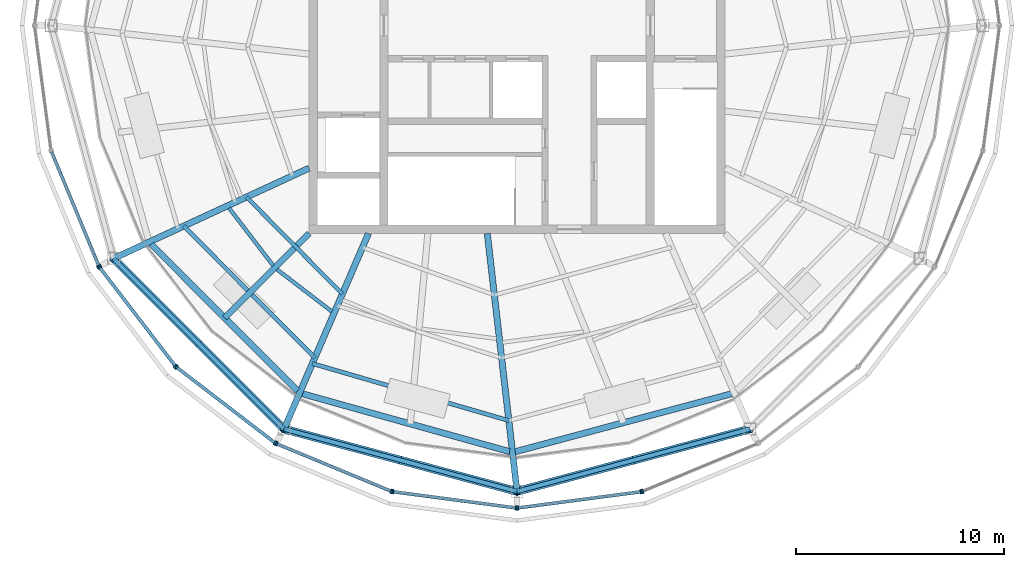
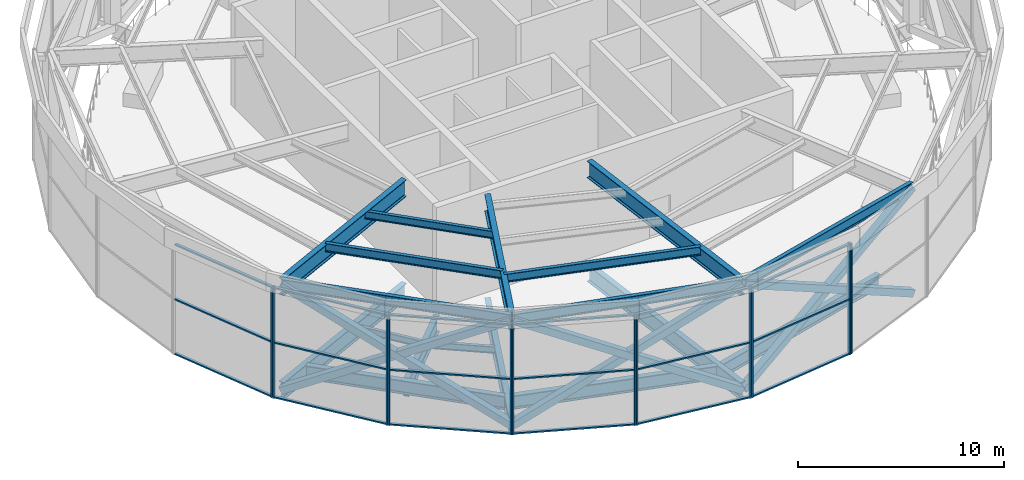
# One storey, part 2 of 13: 39 members, 15 beams, 7 elements without a shape of their own.
"""IFC4 building model written with IfcOpenShell, lengths in metres."""

from ifc_helpers import new_model, si_unit, direction, frame, origin, origin_2d, place, context, subcontext, project, spatial, rectangle, hollow_rectangle, i_section, extrude, material, material_profile, profile_set, type_object, element, aggregate, save


model = new_model("IFC4")

# Units and contexts
model_context = context("Model", 3, precision=1e-05, world=origin(), true_north=direction((0.0, 1.0)))
body_context = subcontext(model_context, "Body", "Model", "MODEL_VIEW")
ifc_project = project(units=[si_unit("LENGTHUNIT", "METRE"), si_unit("AREAUNIT", "SQUARE_METRE"), si_unit("VOLUMEUNIT", "CUBIC_METRE"), si_unit("PLANEANGLEUNIT", "RADIAN"), si_unit("MASSUNIT", "GRAM", prefix="KILO")], contexts=[model_context])

# Site, building, storey
site_placement = place(None, origin())
site = spatial("IfcSite", under=ifc_project, at=site_placement, CompositionType="ELEMENT")
building_placement = place(site_placement, origin())
building = spatial("IfcBuilding", under=site, at=building_placement, Name="Golbaran Civic Tower", CompositionType="ELEMENT")
storey_placement = place(building_placement, frame((0.0, 0.0, 284.0)))
storey = spatial("IfcBuildingStorey", under=building, at=storey_placement, Name="L69", CompositionType="ELEMENT", Elevation=284.0)

# Members
ifc_material_1 = material(Name="Steel S355", Category="steel")
ifc_material_profile_1 = material_profile(ifc_material_1, hollow_rectangle(XDim=0.39990234375, YDim=0.39990234375, WallThickness=0.030029296875, at=origin_2d()), Name="BOX 400x400x30")
ifc_profile_set_1 = profile_set([ifc_material_profile_1], Name="Steel S355")
member_type_1 = type_object("IfcMemberType", Name="CROWN FRAME BRACE BOX 400x400x30", PredefinedType="BRACE", material=ifc_profile_set_1)
for number, where, z_axis, x_axis, name in (
    (1, (-19.39892578125, -11.199951171875, -0.7099609375), (0.622217242579, -0.622217242579, 0.475069895988), (0.707106781187, 0.707106781187, 0.0), "Crown frame brace 8A"),
    (2, (-11.199951171875, -19.39892578125, -0.7099609375), (-0.622217242579, 0.622217242579, 0.475069895988), (-0.707106781187, -0.707106781187, 0.0), "Crown frame brace 8B"),
    (3, (-11.199951171875, -19.39892578125, -0.7099609375), (0.849964200377, -0.227744086126, 0.475072088542), (0.258815721085, 0.965926716951, 0.0), "Crown frame brace 9A"),
    (4, (0.0, -22.39990234375, -0.7099609375), (-0.849964200377, 0.227744086126, 0.475072088542), (-0.258815721085, -0.965926716951, 0.0), "Crown frame brace 9B"),
    (5, (0.0, -22.39990234375, -0.7099609375), (0.849964200377, 0.227744086126, 0.475072088542), (-0.258815721085, 0.965926716951, 0.0), "Crown frame brace 10A"),
    (6, (11.199951171875, -19.39892578125, -0.7099609375), (-0.849964200377, -0.227744086126, 0.475072088542), (0.258815721085, -0.965926716951, 0.0), "Crown frame brace 10B"),
):
    element("IfcMember", number, at=place(storey_placement, frame(where, z_axis=z_axis, x_axis=x_axis)), inside=storey, type_object=member_type_1, Name=name, PredefinedType="BRACE", context=body_context, shape_type="SweptSolid", body=[
        extrude(hollow_rectangle(XDim=0.39990234375, YDim=0.39990234375, WallThickness=0.030029296875, at=origin_2d()), origin(), (0.0, 0.0, 1.0), 13.177001953125),
    ])
ifc_material_profile_2 = material_profile(ifc_material_1, i_section(OverallWidth=0.18994140625, OverallDepth=0.449951171875, WebThickness=0.009521484375, FlangeThickness=0.0146484375, FilletRadius=0.02099609375, at=origin_2d()), Name="IPE 450")
ifc_profile_set_2 = profile_set([ifc_material_profile_2], Name="Steel S355")
member_type_2 = type_object("IfcMemberType", Name="CROWN FRAME CANOPY PURLIN IPE 450", PredefinedType="PURLIN", material=ifc_profile_set_2)
member_1_placement = place(storey_placement, frame((-13.006103515625, -8.24609375, 5.625), z_axis=(0.702923047744, -0.711265905938, 0.0), x_axis=(0.711265905938, 0.702923047744, 0.0)))
element("IfcMember", 7, at=member_1_placement, inside=storey, type_object=member_type_2, Name="Canopy purlin 8-1", PredefinedType="PURLIN", context=body_context, shape_type="SweptSolid", body=[
    extrude(i_section(OverallWidth=0.18994140625, OverallDepth=0.449951171875, WebThickness=0.009521484375, FlangeThickness=0.0146484375, FilletRadius=0.02099609375, at=origin_2d()), origin(), (0.0, 0.0, 1.0), 6.554931640625),
])
ifc_material_profile_3 = material_profile(ifc_material_1, i_section(OverallWidth=0.199951171875, OverallDepth=0.5, WebThickness=0.01025390625, FlangeThickness=0.01611328125, FilletRadius=0.02099609375, at=origin_2d()), Name="IPE 500")
ifc_profile_set_3 = profile_set([ifc_material_profile_3], Name="Steel S355")
member_type_3 = type_object("IfcMemberType", Name="CROWN FRAME CANOPY PURLIN IPE 500", PredefinedType="PURLIN", material=ifc_profile_set_3)
member_2_placement = place(storey_placement, frame((-16.0234375, -9.640380859375, 5.60009765625), z_axis=(0.705301061713, -0.708907901173, 0.0), x_axis=(0.708907901173, 0.705301061713, 0.0)))
element("IfcMember", 8, at=member_2_placement, inside=storey, type_object=member_type_3, Name="Canopy purlin 8-2", PredefinedType="PURLIN", context=body_context, shape_type="SweptSolid", body=[
    extrude(i_section(OverallWidth=0.199951171875, OverallDepth=0.5, WebThickness=0.01025390625, FlangeThickness=0.01611328125, FilletRadius=0.02099609375, at=origin_2d()), origin(), (0.0, 0.0, 1.0), 8.934814453125),
])
member_3_placement = place(storey_placement, frame((-9.841796875, -16.25244140625, 5.60009765625), z_axis=(0.96034772685, -0.278805027815, 0.0), x_axis=(0.278805027815, 0.96034772685, 0.0)))
element("IfcMember", 9, at=member_3_placement, inside=storey, type_object=member_type_3, Name="Canopy purlin 9-3", PredefinedType="PURLIN", context=body_context, shape_type="SweptSolid", body=[
    extrude(i_section(OverallWidth=0.199951171875, OverallDepth=0.5, WebThickness=0.01025390625, FlangeThickness=0.01611328125, FilletRadius=0.02099609375, at=origin_2d()), origin(), (0.0, 0.0, 1.0), 9.83984375),
])

# Beams
ifc_material_profile_4 = material_profile(ifc_material_1, i_section(OverallWidth=0.300048828125, OverallDepth=1.0, WebThickness=0.01904296875, FlangeThickness=0.035888671875, FilletRadius=0.030029296875, at=origin_2d()), Name="HEB 1000")
ifc_profile_set_4 = profile_set([ifc_material_profile_4], Name="Steel S355")
beam_type_1 = type_object("IfcBeamType", Name="CROWN FRAME CANOPY RADIAL BEAM HEB 1000", PredefinedType="BEAM", material=ifc_profile_set_4)
beam_1_placement = place(storey_placement, frame((-10.0, -6.857177734375, 5.35009765625), z_axis=(-0.907782626383, -0.419440941298, 0.0), x_axis=(0.419440941298, -0.907782626383, 0.0)))
element("IfcBeam", 10, at=beam_1_placement, inside=storey, type_object=beam_type_1, Name="Canopy radial beam 8", PredefinedType="BEAM", context=body_context, shape_type="SweptSolid", body=[
    extrude(i_section(OverallWidth=0.300048828125, OverallDepth=1.0, WebThickness=0.01904296875, FlangeThickness=0.035888671875, FilletRadius=0.030029296875, at=origin_2d()), origin(), (0.0, 0.0, 1.0), 10.353759765625),
])
beam_2_placement = place(storey_placement, frame((-7.142822265625, -10.0, 5.35009765625), z_axis=(-0.396312669682, -0.918115607018, 0.0), x_axis=(0.918115607018, -0.396312669682, 0.0)))
element("IfcBeam", 11, at=beam_2_placement, inside=storey, type_object=beam_type_1, Name="Canopy radial beam 9", PredefinedType="BEAM", context=body_context, shape_type="SweptSolid", body=[
    extrude(i_section(OverallWidth=0.300048828125, OverallDepth=1.0, WebThickness=0.01904296875, FlangeThickness=0.035888671875, FilletRadius=0.030029296875, at=origin_2d()), origin(), (0.0, 0.0, 1.0), 10.2373046875),
])
beam_3_placement = place(storey_placement, frame((-1.428466796875, -10.0, 5.35009765625), z_axis=(0.114442958897, -0.993429820953, 0.0), x_axis=(0.993429820953, 0.114442958897, 0.0)))
element("IfcBeam", 12, at=beam_3_placement, inside=storey, type_object=beam_type_1, Name="Canopy radial beam 10", PredefinedType="BEAM", context=body_context, shape_type="SweptSolid", body=[
    extrude(i_section(OverallWidth=0.300048828125, OverallDepth=1.0, WebThickness=0.01904296875, FlangeThickness=0.035888671875, FilletRadius=0.030029296875, at=origin_2d()), origin(), (0.0, 0.0, 1.0), 12.48193359375),
])
ifc_material_profile_5 = material_profile(ifc_material_1, i_section(OverallWidth=0.219970703125, OverallDepth=0.60009765625, WebThickness=0.011962890625, FlangeThickness=0.01904296875, FilletRadius=0.02392578125, at=origin_2d()), Name="IPE 600")
ifc_profile_set_5 = profile_set([ifc_material_profile_5], Name="Steel S355")
beam_type_2 = type_object("IfcBeamType", Name="CROWN FRAME CANOPY RING BEAM IPE 600", PredefinedType="BEAM", material=ifc_profile_set_5)
beam_4_placement = place(storey_placement, frame((-19.39892578125, -11.199951171875, 5.550048828125), z_axis=(0.707106781187, -0.707106781187, 0.0), x_axis=(0.707106781187, 0.707106781187, 0.0)))
element("IfcBeam", 13, at=beam_4_placement, inside=storey, type_object=beam_type_2, Name="Canopy ring beam 8", PredefinedType="BEAM", context=body_context, shape_type="SweptSolid", body=[
    extrude(i_section(OverallWidth=0.219970703125, OverallDepth=0.60009765625, WebThickness=0.011962890625, FlangeThickness=0.01904296875, FilletRadius=0.02392578125, at=origin_2d()), origin(), (0.0, 0.0, 1.0), 11.59521484375),
])
for number, where, z_axis, x_axis, name in (
    (14, (-11.199951171875, -19.39892578125, 5.550048828125), (0.965926716951, -0.258815721085, 0.0), (0.258815721085, 0.965926716951, 0.0), "Canopy ring beam 9"),
    (15, (0.0, -22.39990234375, 5.550048828125), (0.965926716951, 0.258815721085, 0.0), (-0.258815721085, 0.965926716951, 0.0), "Canopy ring beam 10"),
):
    element("IfcBeam", number, at=place(storey_placement, frame(where, z_axis=z_axis, x_axis=x_axis)), inside=storey, type_object=beam_type_2, Name=name, PredefinedType="BEAM", context=body_context, shape_type="SweptSolid", body=[
        extrude(i_section(OverallWidth=0.219970703125, OverallDepth=0.60009765625, WebThickness=0.011962890625, FlangeThickness=0.01904296875, FilletRadius=0.02392578125, at=origin_2d()), origin(), (0.0, 0.0, 1.0), 11.594970703125),
    ])
ifc_material_profile_6 = material_profile(ifc_material_1, i_section(OverallWidth=0.300048828125, OverallDepth=0.800048828125, WebThickness=0.017578125, FlangeThickness=0.032958984375, FilletRadius=0.030029296875, at=origin_2d()), Name="HEB 800")
ifc_profile_set_6 = profile_set([ifc_material_profile_6], Name="Steel S355")
beam_type_3 = type_object("IfcBeamType", Name="EDGE BEAM HEB 800", PredefinedType="BEAM", material=ifc_profile_set_6)
beam_5_placement = place(storey_placement, frame((-17.593994140625, -10.50927734375, -0.699951171875), z_axis=(0.706273825307, -0.707938757017, 0.0), x_axis=(0.707938757017, 0.706273825307, 0.0)))
element("IfcBeam", 16, at=beam_5_placement, inside=storey, type_object=beam_type_3, Name="Edge beam 210.00 L69", PredefinedType="BEAM", context=body_context, shape_type="SweptSolid", body=[
    extrude(i_section(OverallWidth=0.300048828125, OverallDepth=0.800048828125, WebThickness=0.017578125, FlangeThickness=0.032958984375, FilletRadius=0.030029296875, at=origin_2d()), origin(), (0.0, 0.0, 1.0), 9.971435546875),
])
beam_6_placement = place(storey_placement, frame((-10.326171875, -17.70263671875, -0.699951171875), z_axis=(0.963130557778, -0.269034437709, 0.0), x_axis=(0.269034437709, 0.963130557778, 0.0)))
element("IfcBeam", 17, at=beam_6_placement, inside=storey, type_object=beam_type_3, Name="Edge beam 240.00 L69", PredefinedType="BEAM", context=body_context, shape_type="SweptSolid", body=[
    extrude(i_section(OverallWidth=0.300048828125, OverallDepth=0.800048828125, WebThickness=0.017578125, FlangeThickness=0.032958984375, FilletRadius=0.030029296875, at=origin_2d()), origin(), (0.0, 0.0, 1.0), 10.35693359375),
])
beam_7_placement = place(storey_placement, frame((-0.0888671875, -20.49267578125, -0.699951171875), z_axis=(0.965909842094, 0.258878691562, 0.0), x_axis=(-0.258878691562, 0.965909842094, 0.0)))
element("IfcBeam", 18, at=beam_7_placement, inside=storey, type_object=beam_type_3, Name="Edge beam 270.00 L69", PredefinedType="BEAM", context=body_context, shape_type="SweptSolid", body=[
    extrude(i_section(OverallWidth=0.300048828125, OverallDepth=0.800048828125, WebThickness=0.017578125, FlangeThickness=0.032958984375, FilletRadius=0.030029296875, at=origin_2d()), origin(), (0.0, 0.0, 1.0), 10.7822265625),
])
ifc_material_profile_7 = material_profile(ifc_material_1, i_section(OverallWidth=0.179931640625, OverallDepth=0.39990234375, WebThickness=0.008544921875, FlangeThickness=0.013427734375, FilletRadius=0.02099609375, at=origin_2d()), Name="IPE 400")
ifc_profile_set_7 = profile_set([ifc_material_profile_7], Name="Steel S355")
beam_type_4 = type_object("IfcBeamType", Name="FLOOR INFILL BEAM IPE 400", PredefinedType="BEAM", material=ifc_profile_set_7)
beam_8_placement = place(storey_placement, frame((-13.843505859375, -8.7763671875, -0.5), z_axis=(0.608734654071, -0.793373884705, 0.0), x_axis=(0.793373884705, 0.608734654071, 0.0)))
element("IfcBeam", 19, at=beam_8_placement, inside=storey, type_object=beam_type_4, Name="Infill beam 217.50 L69", PredefinedType="BEAM", context=body_context, shape_type="SweptSolid", body=[
    extrude(i_section(OverallWidth=0.179931640625, OverallDepth=0.39990234375, WebThickness=0.008544921875, FlangeThickness=0.013427734375, FilletRadius=0.02099609375, at=origin_2d()), origin(), (0.0, 0.0, 1.0), 3.48291015625),
])
beam_9_placement = place(storey_placement, frame((-11.541748046875, -11.7255859375, -0.5), z_axis=(0.793371165585, -0.60873819793, 0.0), x_axis=(0.60873819793, 0.793371165585, 0.0)))
element("IfcBeam", 20, at=beam_9_placement, inside=storey, type_object=beam_type_4, Name="Infill beam 232.50 L69", PredefinedType="BEAM", context=body_context, shape_type="SweptSolid", body=[
    extrude(i_section(OverallWidth=0.179931640625, OverallDepth=0.39990234375, WebThickness=0.008544921875, FlangeThickness=0.013427734375, FilletRadius=0.02099609375, at=origin_2d()), origin(), (0.0, 0.0, 1.0), 3.32568359375),
])

# Curtain wall, member
ifc_material_2 = material(Name="Aluminium and glass", Category="aluminium")
curtain_wall_type = type_object("IfcCurtainWallType", Name="OUTER SKIN TERRACOTTA SCREEN", PredefinedType="NOTDEFINED", material=ifc_material_2)
curtain_wall_1_placement = place(storey_placement, origin())
curtain_wall_1 = element("IfcCurtainWall", 21, at=curtain_wall_1_placement, inside=storey, type_object=curtain_wall_type, Name="Crown screen L69 facet 14 CW3", ObjectType="OUTER SKIN", PredefinedType="USERDEFINED")
ifc_material_3 = material(Name="Aluminium", Category="aluminium")
ifc_material_profile_8 = material_profile(ifc_material_3, rectangle(XDim=0.219970703125, YDim=0.080078125, at=origin_2d()), Name="OUTER SKIN TERRACOTTA SCREEN MULLION")
ifc_profile_set_8 = profile_set([ifc_material_profile_8], Name="Aluminium")
member_type_4 = type_object("IfcMemberType", Name="OUTER SKIN TERRACOTTA SCREEN MULLION", PredefinedType="MULLION", material=ifc_profile_set_8)
member_4_placement = place(storey_placement, frame((-20.107177734375, -11.56298828125, -0.7099609375), z_axis=(0.0, 0.0, 1.0), x_axis=(0.923879532525, 0.382683432333, 0.0)))
member_4 = element("IfcMember", 22, at=member_4_placement, type_object=member_type_4, Name="CW3 mullion 2", PredefinedType="MULLION", context=body_context, shape_type="SweptSolid", body=[
    extrude(rectangle(XDim=0.219970703125, YDim=0.080078125, at=origin_2d()), origin(), (0.0, 0.0, 1.0), 6.56005859375),
])

# Curtain wall, members
curtain_wall_2_placement = place(storey_placement, origin())
curtain_wall_2 = element("IfcCurtainWall", 23, at=curtain_wall_2_placement, inside=storey, type_object=curtain_wall_type, Name="Crown screen L69 facet 15 CW3", ObjectType="OUTER SKIN", PredefinedType="USERDEFINED")
member_5_placement = place(storey_placement, frame((-20.0673828125, -11.6318359375, -0.7099609375), z_axis=(0.0, 0.0, 1.0), x_axis=(0.793353340344, 0.608761428939, 0.0)))
member_5 = element("IfcMember", 24, at=member_5_placement, type_object=member_type_4, Name="CW3 mullion 1", PredefinedType="MULLION", context=body_context, shape_type="SweptSolid", body=[
    extrude(rectangle(XDim=0.219970703125, YDim=0.080078125, at=origin_2d()), origin(), (0.0, 0.0, 1.0), 6.56005859375),
])
member_6_placement = place(storey_placement, frame((-16.42919921875, -16.373046875, -0.7099609375), z_axis=(0.0, 0.0, 1.0), x_axis=(0.793353340344, 0.608761428939, 0.0)))
member_6 = element("IfcMember", 25, at=member_6_placement, type_object=member_type_4, Name="CW3 mullion 2", PredefinedType="MULLION", context=body_context, shape_type="SweptSolid", body=[
    extrude(rectangle(XDim=0.219970703125, YDim=0.080078125, at=origin_2d()), origin(), (0.0, 0.0, 1.0), 6.56005859375),
])

curtain_wall_3_placement = place(storey_placement, origin())
curtain_wall_3 = element("IfcCurtainWall", 26, at=curtain_wall_3_placement, inside=storey, type_object=curtain_wall_type, Name="Crown screen L69 facet 16 CW3", ObjectType="OUTER SKIN", PredefinedType="USERDEFINED")
member_7_placement = place(storey_placement, frame((-16.373046875, -16.42919921875, -0.7099609375), z_axis=(0.0, 0.0, 1.0), x_axis=(0.608761428939, 0.793353340344, 0.0)))
member_7 = element("IfcMember", 27, at=member_7_placement, type_object=member_type_4, Name="CW3 mullion 1", PredefinedType="MULLION", context=body_context, shape_type="SweptSolid", body=[
    extrude(rectangle(XDim=0.219970703125, YDim=0.080078125, at=origin_2d()), origin(), (0.0, 0.0, 1.0), 6.56005859375),
])
member_8_placement = place(storey_placement, frame((-11.6318359375, -20.0673828125, -0.7099609375), z_axis=(0.0, 0.0, 1.0), x_axis=(0.608761428939, 0.793353340344, 0.0)))
member_8 = element("IfcMember", 28, at=member_8_placement, type_object=member_type_4, Name="CW3 mullion 2", PredefinedType="MULLION", context=body_context, shape_type="SweptSolid", body=[
    extrude(rectangle(XDim=0.219970703125, YDim=0.080078125, at=origin_2d()), origin(), (0.0, 0.0, 1.0), 6.56005859375),
])

curtain_wall_4_placement = place(storey_placement, origin())
curtain_wall_4 = element("IfcCurtainWall", 29, at=curtain_wall_4_placement, inside=storey, type_object=curtain_wall_type, Name="Crown screen L69 facet 17 CW3", ObjectType="OUTER SKIN", PredefinedType="USERDEFINED")
member_9_placement = place(storey_placement, frame((-11.56298828125, -20.107177734375, -0.7099609375), z_axis=(0.0, 0.0, 1.0), x_axis=(0.382683432333, 0.923879532525, 0.0)))
member_9 = element("IfcMember", 30, at=member_9_placement, type_object=member_type_4, Name="CW3 mullion 1", PredefinedType="MULLION", context=body_context, shape_type="SweptSolid", body=[
    extrude(rectangle(XDim=0.219970703125, YDim=0.080078125, at=origin_2d()), origin(), (0.0, 0.0, 1.0), 6.56005859375),
])
member_10_placement = place(storey_placement, frame((-6.04150390625, -22.394287109375, -0.7099609375), z_axis=(0.0, 0.0, 1.0), x_axis=(0.382683432333, 0.923879532525, 0.0)))
member_10 = element("IfcMember", 31, at=member_10_placement, type_object=member_type_4, Name="CW3 mullion 2", PredefinedType="MULLION", context=body_context, shape_type="SweptSolid", body=[
    extrude(rectangle(XDim=0.219970703125, YDim=0.080078125, at=origin_2d()), origin(), (0.0, 0.0, 1.0), 6.56005859375),
])

curtain_wall_5_placement = place(storey_placement, origin())
curtain_wall_5 = element("IfcCurtainWall", 32, at=curtain_wall_5_placement, inside=storey, type_object=curtain_wall_type, Name="Crown screen L69 facet 18 CW3", ObjectType="OUTER SKIN", PredefinedType="USERDEFINED")
member_11_placement = place(storey_placement, frame((-5.96484375, -22.414794921875, -0.7099609375), z_axis=(0.0, 0.0, 1.0), x_axis=(0.13052619222, 0.991444861374, 0.0)))
member_11 = element("IfcMember", 33, at=member_11_placement, type_object=member_type_4, Name="CW3 mullion 1", PredefinedType="MULLION", context=body_context, shape_type="SweptSolid", body=[
    extrude(rectangle(XDim=0.219970703125, YDim=0.080078125, at=origin_2d()), origin(), (0.0, 0.0, 1.0), 6.56005859375),
])
member_12_placement = place(storey_placement, frame((-0.03955078125, -23.19482421875, -0.7099609375), z_axis=(0.0, 0.0, 1.0), x_axis=(0.13052619222, 0.991444861374, 0.0)))
member_12 = element("IfcMember", 34, at=member_12_placement, type_object=member_type_4, Name="CW3 mullion 2", PredefinedType="MULLION", context=body_context, shape_type="SweptSolid", body=[
    extrude(rectangle(XDim=0.219970703125, YDim=0.080078125, at=origin_2d()), origin(), (0.0, 0.0, 1.0), 6.56005859375),
])

curtain_wall_6_placement = place(storey_placement, origin())
curtain_wall_6 = element("IfcCurtainWall", 35, at=curtain_wall_6_placement, inside=storey, type_object=curtain_wall_type, Name="Crown screen L69 facet 19 CW3", ObjectType="OUTER SKIN", PredefinedType="USERDEFINED")
member_13_placement = place(storey_placement, frame((0.03955078125, -23.19482421875, -0.7099609375), z_axis=(0.0, 0.0, 1.0), x_axis=(-0.13052619222, 0.991444861374, 0.0)))
member_13 = element("IfcMember", 36, at=member_13_placement, type_object=member_type_4, Name="CW3 mullion 1", PredefinedType="MULLION", context=body_context, shape_type="SweptSolid", body=[
    extrude(rectangle(XDim=0.219970703125, YDim=0.080078125, at=origin_2d()), origin(), (0.0, 0.0, 1.0), 6.56005859375),
])
member_14_placement = place(storey_placement, frame((5.96484375, -22.414794921875, -0.7099609375), z_axis=(0.0, 0.0, 1.0), x_axis=(-0.13052619222, 0.991444861374, 0.0)))
member_14 = element("IfcMember", 37, at=member_14_placement, type_object=member_type_4, Name="CW3 mullion 2", PredefinedType="MULLION", context=body_context, shape_type="SweptSolid", body=[
    extrude(rectangle(XDim=0.219970703125, YDim=0.080078125, at=origin_2d()), origin(), (0.0, 0.0, 1.0), 6.56005859375),
])

# Curtain wall, member
curtain_wall_7_placement = place(storey_placement, origin())
curtain_wall_7 = element("IfcCurtainWall", 38, at=curtain_wall_7_placement, inside=storey, type_object=curtain_wall_type, Name="Crown screen L69 facet 20 CW3", ObjectType="OUTER SKIN", PredefinedType="USERDEFINED")
member_15_placement = place(storey_placement, frame((6.04150390625, -22.394287109375, -0.7099609375), z_axis=(0.0, 0.0, 1.0), x_axis=(-0.382683432333, 0.923879532525, 0.0)))
member_15 = element("IfcMember", 39, at=member_15_placement, type_object=member_type_4, Name="CW3 mullion 1", PredefinedType="MULLION", context=body_context, shape_type="SweptSolid", body=[
    extrude(rectangle(XDim=0.219970703125, YDim=0.080078125, at=origin_2d()), origin(), (0.0, 0.0, 1.0), 6.56005859375),
])
aggregate(curtain_wall_7, [member_15])

# Member
ifc_material_profile_9 = material_profile(ifc_material_3, rectangle(XDim=0.159912109375, YDim=0.080078125, at=origin_2d()), Name="OUTER SKIN TERRACOTTA SCREEN TRANSOM")
ifc_profile_set_9 = profile_set([ifc_material_profile_9], Name="Aluminium")
member_type_5 = type_object("IfcMemberType", Name="OUTER SKIN TERRACOTTA SCREEN TRANSOM", PredefinedType="USERDEFINED", material=ifc_profile_set_9)
member_16_placement = place(storey_placement, frame((-22.37890625, -6.07861328125, -0.669921875), z_axis=(0.382706502494, -0.923869976214, 0.0), x_axis=(0.923869976214, 0.382706502494, 0.0)))
member_16 = element("IfcMember", 40, at=member_16_placement, type_object=member_type_5, Name="CW3 transom 1.1", ObjectType="TRANSOM", PredefinedType="USERDEFINED", context=body_context, shape_type="SweptSolid", body=[
    extrude(rectangle(XDim=0.159912109375, YDim=0.080078125, at=origin_2d()), origin(), (0.0, 0.0, 1.0), 5.896484375),
])

member_17_placement = place(storey_placement, frame((-22.37890625, -6.07861328125, 2.570068359375), z_axis=(0.382706502494, -0.923869976214, 0.0), x_axis=(0.923869976214, 0.382706502494, 0.0)))
member_17 = element("IfcMember", 41, at=member_17_placement, type_object=member_type_5, Name="CW3 transom 1.2", ObjectType="TRANSOM", PredefinedType="USERDEFINED", context=body_context, shape_type="SweptSolid", body=[
    extrude(rectangle(XDim=0.159912109375, YDim=0.080078125, at=origin_2d()), origin(), (0.0, 0.0, 1.0), 5.896484375),
])

member_18_placement = place(storey_placement, frame((-22.37890625, -6.07861328125, 5.81005859375), z_axis=(0.382706502494, -0.923869976214, 0.0), x_axis=(0.923869976214, 0.382706502494, 0.0)))
member_18 = element("IfcMember", 42, at=member_18_placement, type_object=member_type_5, Name="CW3 transom 1.3", ObjectType="TRANSOM", PredefinedType="USERDEFINED", context=body_context, shape_type="SweptSolid", body=[
    extrude(rectangle(XDim=0.159912109375, YDim=0.080078125, at=origin_2d()), origin(), (0.0, 0.0, 1.0), 5.896484375),
])

aggregate(curtain_wall_1, [member_4, member_16, member_17, member_18])

member_19_placement = place(storey_placement, frame((-20.04296875, -11.66357421875, -0.669921875), z_axis=(0.608761817598, -0.793353042116, 0.0), x_axis=(0.793353042116, 0.608761817598, 0.0)))
member_19 = element("IfcMember", 43, at=member_19_placement, type_object=member_type_5, Name="CW3 transom 1.1", ObjectType="TRANSOM", PredefinedType="USERDEFINED", context=body_context, shape_type="SweptSolid", body=[
    extrude(rectangle(XDim=0.159912109375, YDim=0.080078125, at=origin_2d()), origin(), (0.0, 0.0, 1.0), 5.896240234375),
])

member_20_placement = place(storey_placement, frame((-20.04296875, -11.66357421875, 2.570068359375), z_axis=(0.608761817598, -0.793353042116, 0.0), x_axis=(0.793353042116, 0.608761817598, 0.0)))
member_20 = element("IfcMember", 44, at=member_20_placement, type_object=member_type_5, Name="CW3 transom 1.2", ObjectType="TRANSOM", PredefinedType="USERDEFINED", context=body_context, shape_type="SweptSolid", body=[
    extrude(rectangle(XDim=0.159912109375, YDim=0.080078125, at=origin_2d()), origin(), (0.0, 0.0, 1.0), 5.896240234375),
])

member_21_placement = place(storey_placement, frame((-20.04296875, -11.66357421875, 5.81005859375), z_axis=(0.608761817598, -0.793353042116, 0.0), x_axis=(0.793353042116, 0.608761817598, 0.0)))
member_21 = element("IfcMember", 45, at=member_21_placement, type_object=member_type_5, Name="CW3 transom 1.3", ObjectType="TRANSOM", PredefinedType="USERDEFINED", context=body_context, shape_type="SweptSolid", body=[
    extrude(rectangle(XDim=0.159912109375, YDim=0.080078125, at=origin_2d()), origin(), (0.0, 0.0, 1.0), 5.896240234375),
])

aggregate(curtain_wall_2, [member_5, member_6, member_19, member_20, member_21])

member_22_placement = place(storey_placement, frame((-16.34130859375, -16.45361328125, -0.669921875), z_axis=(0.793353042116, -0.608761817598, 0.0), x_axis=(0.608761817598, 0.793353042116, 0.0)))
member_22 = element("IfcMember", 46, at=member_22_placement, type_object=member_type_5, Name="CW3 transom 1.1", ObjectType="TRANSOM", PredefinedType="USERDEFINED", context=body_context, shape_type="SweptSolid", body=[
    extrude(rectangle(XDim=0.159912109375, YDim=0.080078125, at=origin_2d()), origin(), (0.0, 0.0, 1.0), 5.896240234375),
])

member_23_placement = place(storey_placement, frame((-16.34130859375, -16.45361328125, 2.570068359375), z_axis=(0.793353042116, -0.608761817598, 0.0), x_axis=(0.608761817598, 0.793353042116, 0.0)))
member_23 = element("IfcMember", 47, at=member_23_placement, type_object=member_type_5, Name="CW3 transom 1.2", ObjectType="TRANSOM", PredefinedType="USERDEFINED", context=body_context, shape_type="SweptSolid", body=[
    extrude(rectangle(XDim=0.159912109375, YDim=0.080078125, at=origin_2d()), origin(), (0.0, 0.0, 1.0), 5.896240234375),
])

member_24_placement = place(storey_placement, frame((-16.34130859375, -16.45361328125, 5.81005859375), z_axis=(0.793353042116, -0.608761817598, 0.0), x_axis=(0.608761817598, 0.793353042116, 0.0)))
member_24 = element("IfcMember", 48, at=member_24_placement, type_object=member_type_5, Name="CW3 transom 1.3", ObjectType="TRANSOM", PredefinedType="USERDEFINED", context=body_context, shape_type="SweptSolid", body=[
    extrude(rectangle(XDim=0.159912109375, YDim=0.080078125, at=origin_2d()), origin(), (0.0, 0.0, 1.0), 5.896240234375),
])

aggregate(curtain_wall_3, [member_7, member_8, member_22, member_23, member_24])

member_25_placement = place(storey_placement, frame((-11.526123046875, -20.122314453125, -0.669921875), z_axis=(0.923869976214, -0.382706502494, 0.0), x_axis=(0.382706502494, 0.923869976214, 0.0)))
member_25 = element("IfcMember", 49, at=member_25_placement, type_object=member_type_5, Name="CW3 transom 1.1", ObjectType="TRANSOM", PredefinedType="USERDEFINED", context=body_context, shape_type="SweptSolid", body=[
    extrude(rectangle(XDim=0.159912109375, YDim=0.080078125, at=origin_2d()), origin(), (0.0, 0.0, 1.0), 5.896484375),
])

member_26_placement = place(storey_placement, frame((-11.526123046875, -20.122314453125, 2.570068359375), z_axis=(0.923869976214, -0.382706502494, 0.0), x_axis=(0.382706502494, 0.923869976214, 0.0)))
member_26 = element("IfcMember", 50, at=member_26_placement, type_object=member_type_5, Name="CW3 transom 1.2", ObjectType="TRANSOM", PredefinedType="USERDEFINED", context=body_context, shape_type="SweptSolid", body=[
    extrude(rectangle(XDim=0.159912109375, YDim=0.080078125, at=origin_2d()), origin(), (0.0, 0.0, 1.0), 5.896484375),
])

member_27_placement = place(storey_placement, frame((-11.526123046875, -20.122314453125, 5.81005859375), z_axis=(0.923869976214, -0.382706502494, 0.0), x_axis=(0.382706502494, 0.923869976214, 0.0)))
member_27 = element("IfcMember", 51, at=member_27_placement, type_object=member_type_5, Name="CW3 transom 1.3", ObjectType="TRANSOM", PredefinedType="USERDEFINED", context=body_context, shape_type="SweptSolid", body=[
    extrude(rectangle(XDim=0.159912109375, YDim=0.080078125, at=origin_2d()), origin(), (0.0, 0.0, 1.0), 5.896484375),
])

aggregate(curtain_wall_4, [member_9, member_10, member_25, member_26, member_27])

member_28_placement = place(storey_placement, frame((-5.92529296875, -22.419921875, -0.669921875), z_axis=(0.991447106617, -0.130509136774, 0.0), x_axis=(0.130509136774, 0.991447106617, 0.0)))
member_28 = element("IfcMember", 52, at=member_28_placement, type_object=member_type_5, Name="CW3 transom 1.1", ObjectType="TRANSOM", PredefinedType="USERDEFINED", context=body_context, shape_type="SweptSolid", body=[
    extrude(rectangle(XDim=0.159912109375, YDim=0.080078125, at=origin_2d()), origin(), (0.0, 0.0, 1.0), 5.896484375),
])

member_29_placement = place(storey_placement, frame((-5.92529296875, -22.419921875, 2.570068359375), z_axis=(0.991447106617, -0.130509136774, 0.0), x_axis=(0.130509136774, 0.991447106617, 0.0)))
member_29 = element("IfcMember", 53, at=member_29_placement, type_object=member_type_5, Name="CW3 transom 1.2", ObjectType="TRANSOM", PredefinedType="USERDEFINED", context=body_context, shape_type="SweptSolid", body=[
    extrude(rectangle(XDim=0.159912109375, YDim=0.080078125, at=origin_2d()), origin(), (0.0, 0.0, 1.0), 5.896484375),
])

member_30_placement = place(storey_placement, frame((-5.92529296875, -22.419921875, 5.81005859375), z_axis=(0.991447106617, -0.130509136774, 0.0), x_axis=(0.130509136774, 0.991447106617, 0.0)))
member_30 = element("IfcMember", 54, at=member_30_placement, type_object=member_type_5, Name="CW3 transom 1.3", ObjectType="TRANSOM", PredefinedType="USERDEFINED", context=body_context, shape_type="SweptSolid", body=[
    extrude(rectangle(XDim=0.159912109375, YDim=0.080078125, at=origin_2d()), origin(), (0.0, 0.0, 1.0), 5.896484375),
])

aggregate(curtain_wall_5, [member_11, member_12, member_28, member_29, member_30])

member_31_placement = place(storey_placement, frame((0.079345703125, -23.189453125, -0.669921875), z_axis=(0.991447106617, 0.130509136774, 0.0), x_axis=(-0.130509136774, 0.991447106617, 0.0)))
member_31 = element("IfcMember", 55, at=member_31_placement, type_object=member_type_5, Name="CW3 transom 1.1", ObjectType="TRANSOM", PredefinedType="USERDEFINED", context=body_context, shape_type="SweptSolid", body=[
    extrude(rectangle(XDim=0.159912109375, YDim=0.080078125, at=origin_2d()), origin(), (0.0, 0.0, 1.0), 5.896484375),
])

member_32_placement = place(storey_placement, frame((0.079345703125, -23.189453125, 2.570068359375), z_axis=(0.991447106617, 0.130509136774, 0.0), x_axis=(-0.130509136774, 0.991447106617, 0.0)))
member_32 = element("IfcMember", 56, at=member_32_placement, type_object=member_type_5, Name="CW3 transom 1.2", ObjectType="TRANSOM", PredefinedType="USERDEFINED", context=body_context, shape_type="SweptSolid", body=[
    extrude(rectangle(XDim=0.159912109375, YDim=0.080078125, at=origin_2d()), origin(), (0.0, 0.0, 1.0), 5.896484375),
])

member_33_placement = place(storey_placement, frame((0.079345703125, -23.189453125, 5.81005859375), z_axis=(0.991447106617, 0.130509136774, 0.0), x_axis=(-0.130509136774, 0.991447106617, 0.0)))
member_33 = element("IfcMember", 57, at=member_33_placement, type_object=member_type_5, Name="CW3 transom 1.3", ObjectType="TRANSOM", PredefinedType="USERDEFINED", context=body_context, shape_type="SweptSolid", body=[
    extrude(rectangle(XDim=0.159912109375, YDim=0.080078125, at=origin_2d()), origin(), (0.0, 0.0, 1.0), 5.896484375),
])

aggregate(curtain_wall_6, [member_13, member_14, member_31, member_32, member_33])

# Beams
ifc_material_profile_10 = material_profile(ifc_material_1, i_section(OverallWidth=0.300048828125, OverallDepth=1.0, WebThickness=0.01904296875, FlangeThickness=0.035888671875, FilletRadius=0.030029296875, at=origin_2d()), Name="HEB 1000")
ifc_profile_set_10 = profile_set([ifc_material_profile_10], Name="Steel S355")
beam_type_5 = type_object("IfcBeamType", Name="RADIAL FLOOR BEAM HEB 1000", PredefinedType="BEAM", material=ifc_profile_set_10)
beam_10_placement = place(storey_placement, frame((-10.0, -6.857177734375, -0.800048828125), z_axis=(-0.907782626383, -0.419440941298, 0.0), x_axis=(0.419440941298, -0.907782626383, 0.0)))
element("IfcBeam", 58, at=beam_10_placement, inside=storey, type_object=beam_type_5, Name="Radial beam 210.00 L69", PredefinedType="BEAM", context=body_context, shape_type="SweptSolid", body=[
    extrude(i_section(OverallWidth=0.300048828125, OverallDepth=1.0, WebThickness=0.01904296875, FlangeThickness=0.035888671875, FilletRadius=0.030029296875, at=origin_2d()), origin(), (0.0, 0.0, 1.0), 10.353759765625),
])
beam_11_placement = place(storey_placement, frame((-7.142822265625, -10.0, -0.800048828125), z_axis=(-0.396312669682, -0.918115607018, 0.0), x_axis=(0.918115607018, -0.396312669682, 0.0)))
element("IfcBeam", 59, at=beam_11_placement, inside=storey, type_object=beam_type_5, Name="Radial beam 240.00 L69", PredefinedType="BEAM", context=body_context, shape_type="SweptSolid", body=[
    extrude(i_section(OverallWidth=0.300048828125, OverallDepth=1.0, WebThickness=0.01904296875, FlangeThickness=0.035888671875, FilletRadius=0.030029296875, at=origin_2d()), origin(), (0.0, 0.0, 1.0), 10.2373046875),
])
beam_12_placement = place(storey_placement, frame((-1.428466796875, -10.0, -0.800048828125), z_axis=(0.114442958897, -0.993429820953, 0.0), x_axis=(0.993429820953, 0.114442958897, 0.0)))
element("IfcBeam", 60, at=beam_12_placement, inside=storey, type_object=beam_type_5, Name="Radial beam 270.00 L69", PredefinedType="BEAM", context=body_context, shape_type="SweptSolid", body=[
    extrude(i_section(OverallWidth=0.300048828125, OverallDepth=1.0, WebThickness=0.01904296875, FlangeThickness=0.035888671875, FilletRadius=0.030029296875, at=origin_2d()), origin(), (0.0, 0.0, 1.0), 12.48193359375),
])
ifc_material_profile_11 = material_profile(ifc_material_1, i_section(OverallWidth=0.300048828125, OverallDepth=1.0, WebThickness=0.01904296875, FlangeThickness=0.035888671875, FilletRadius=0.030029296875, at=origin_2d()), Name="HEB 1000")
ifc_profile_set_11 = profile_set([ifc_material_profile_11], Name="Steel S355")
beam_type_6 = type_object("IfcBeamType", Name="SECONDARY FLOOR BEAM HEB 1000", PredefinedType="BEAM", material=ifc_profile_set_11)
beam_13_placement = place(storey_placement, frame((-10.0, -10.0, -0.800048828125), z_axis=(-0.707106781187, -0.707106781187, 0.0), x_axis=(0.707106781187, -0.707106781187, 0.0)))
element("IfcBeam", 61, at=beam_13_placement, inside=storey, type_object=beam_type_6, Name="Secondary beam 225.00 L69", PredefinedType="BEAM", context=body_context, shape_type="SweptSolid", body=[
    extrude(i_section(OverallWidth=0.300048828125, OverallDepth=1.0, WebThickness=0.01904296875, FlangeThickness=0.035888671875, FilletRadius=0.030029296875, at=origin_2d()), origin(), (0.0, 0.0, 1.0), 5.735595703125),
])

save(model, "model.ifc")
